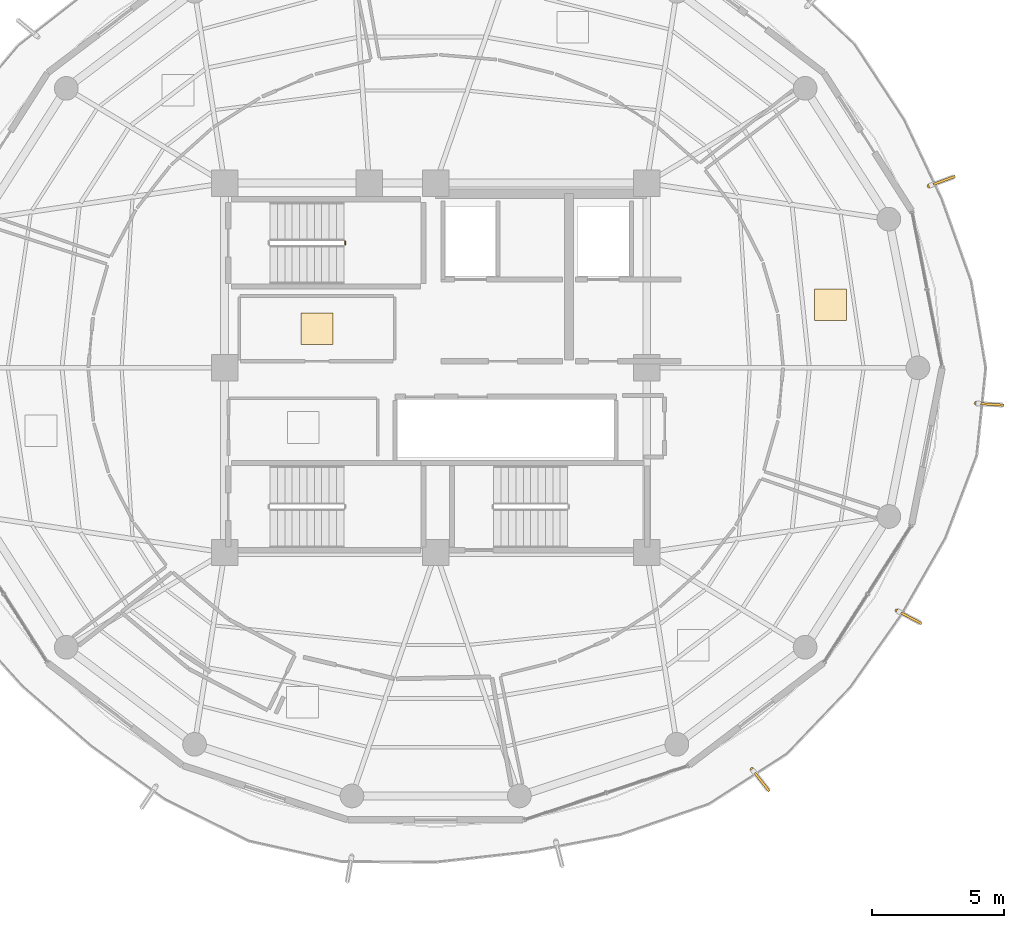
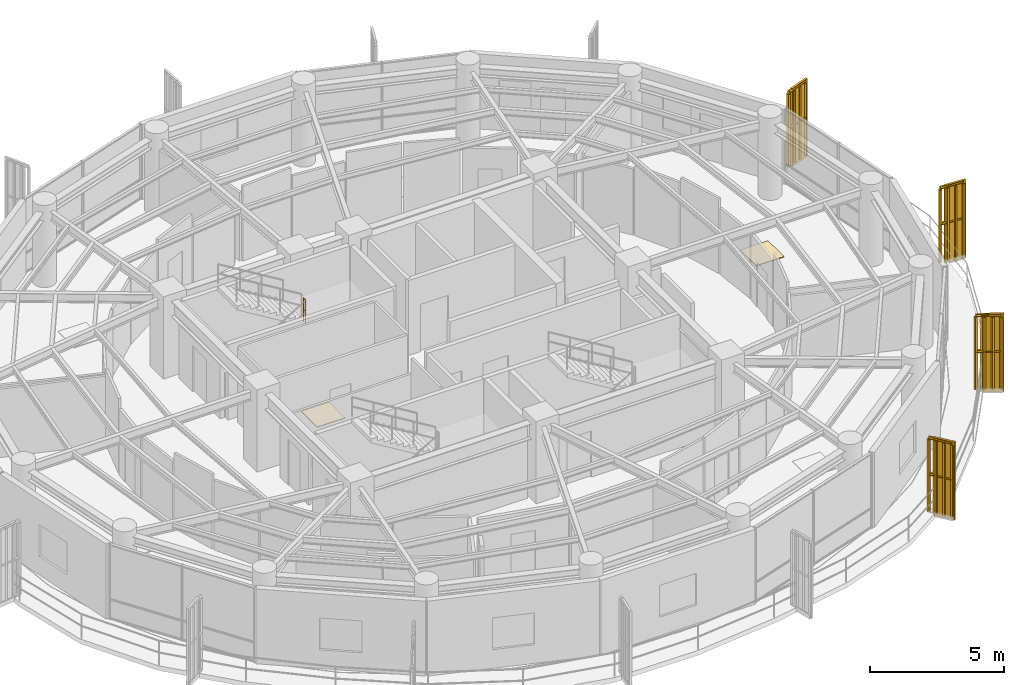
# One storey, part 22 of 23: 5 railings, 4 shading devices, 2 coverings.
"""IFC4 building model written with IfcOpenShell, lengths in metres."""

import ifcopenshell
import ifcopenshell.guid

model = None  # the IFC model being written
_history = None  # IfcOwnerHistory: only IFC2X3 demands one
_inside = {}  # id of a spatial element -> (the spatial element, [elements in it])
_under = {}  # id of a project, library or spatial element -> (it, [spatial elements below it])
_declared = {}  # id of a project -> (the project, [libraries it declares])
_typed = {}  # id of a type object -> (the type object, [elements of that type])
_made_of = {}  # id of a material, layer set ... -> (it, [elements and type objects made of it])


def new_model(schema):
    """Start an empty IFC model of exactly this schema.

    Asked for "IFC4X3", IfcOpenShell would pick the latest addendum, in which some entities
    have other attributes; the version numbers below select the first issue.
    IFC2X3 requires an IfcOwnerHistory on every rooted entity: one is made here for all.
    """
    global model, _history
    if schema == "IFC4X3":
        model = ifcopenshell.file(schema_version=(4, 3, 0, 0))
    else:
        model = ifcopenshell.file(schema=schema)
    _inside.clear()
    _under.clear()
    _declared.clear()
    _typed.clear()
    _made_of.clear()
    _history = None
    if model.schema == "IFC2X3":
        org = make("IfcOrganization", Name="unknown")
        user = make(
            "IfcPersonAndOrganization",
            ThePerson=make("IfcPerson", FamilyName="unknown"),
            TheOrganization=org,
        )
        app = make(
            "IfcApplication",
            ApplicationDeveloper=org,
            Version="unknown",
            ApplicationFullName="unknown",
            ApplicationIdentifier="unknown",
        )
        _history = make(
            "IfcOwnerHistory",
            OwningUser=user,
            OwningApplication=app,
            ChangeAction="ADDED",
            CreationDate=0,
        )
    return model


def make(cls, **values):
    """One entity of the class cls with the attributes given. An attribute that is None is left unset."""
    return model.create_entity(
        cls, **{name: value for name, value in values.items() if value is not None}
    )


def rooted(cls, **values):
    """An entity with a GlobalId (a new one), such as an element, a storey or a relation."""
    return make(cls, GlobalId=ifcopenshell.guid.new(), OwnerHistory=_history, **values)


def si_unit(unit_type, name, prefix=None):
    """IfcSIUnit, for example si_unit("LENGTHUNIT", "METRE", prefix="MILLI")."""
    return make("IfcSIUnit", UnitType=unit_type, Prefix=prefix, Name=name)


def assignment(units):
    """IfcUnitAssignment: the units of a project."""
    return None if units is None else make("IfcUnitAssignment", Units=units)


def point(xyz):
    """IfcCartesianPoint."""
    return None if xyz is None else make("IfcCartesianPoint", Coordinates=xyz)


def direction(xyz):
    """IfcDirection."""
    return None if xyz is None else make("IfcDirection", DirectionRatios=xyz)


def frame(location, z_axis=None, x_axis=None):
    """IfcAxis2Placement3D, a coordinate frame: its origin and axes. An axis left out is left unset."""
    return make(
        "IfcAxis2Placement3D",
        Location=point(location),
        Axis=direction(z_axis),
        RefDirection=direction(x_axis),
    )


def frame_2d(location, x_axis=None):
    """IfcAxis2Placement2D, a coordinate frame in the plane: its origin and x axis."""
    return make(
        "IfcAxis2Placement2D", Location=point(location), RefDirection=direction(x_axis)
    )


def origin():
    """The frame at (0, 0, 0) with its axes left unset."""
    return frame((0.0, 0.0, 0.0))


def origin_2d():
    """The frame at (0, 0) in the plane with its x axis left unset."""
    return frame_2d((0.0, 0.0))


def place(relative_to, where):
    """IfcLocalPlacement: puts the frame where relative to a parent placement (None: the world)."""
    return make(
        "IfcLocalPlacement", PlacementRelTo=relative_to, RelativePlacement=where
    )


def context(
    kind, dimensions, precision=None, world=None, true_north=None, identifier=None
):
    """IfcGeometricRepresentationContext, for example the 3D "Model" context."""
    return make(
        "IfcGeometricRepresentationContext",
        ContextIdentifier=identifier,
        ContextType=kind,
        CoordinateSpaceDimension=dimensions,
        Precision=precision,
        WorldCoordinateSystem=world,
        TrueNorth=true_north,
    )


def subcontext(parent, identifier, kind, view, scale=None):
    """IfcGeometricRepresentationSubContext, for example "Body" below "Model"."""
    return make(
        "IfcGeometricRepresentationSubContext",
        ContextIdentifier=identifier,
        ContextType=kind,
        ParentContext=parent,
        TargetScale=scale,
        TargetView=view,
    )


def project(units=None, contexts=None):
    """IfcProject with its units and contexts."""
    return rooted(
        "IfcProject",
        Name="project",
        RepresentationContexts=contexts,
        UnitsInContext=assignment(units),
    )


def spatial(cls, under=None, at=None, **own):
    """A site, building, storey or space (cls), placed at a placement, below another one or the project."""
    s = rooted(cls, ObjectPlacement=at, **own)
    if under is not None:
        _under.setdefault(under.id(), (under, []))[1].append(s)
    return s


def polyline(points):
    """IfcPolyline through the points."""
    return make("IfcPolyline", Points=[point(p) for p in points])


def profile(cls, at=None, kind="AREA", **sizes):
    """A parametric profile (cls). Its sizes go by their IFC names, for example OverallWidth=200.0."""
    return make(cls, ProfileType=kind, Position=at, **sizes)


def rectangle(**sizes):
    """IfcRectangleProfileDef."""
    return profile("IfcRectangleProfileDef", **sizes)


def outline(outer, holes=None, kind="AREA"):
    """IfcArbitraryClosedProfileDef: a profile drawn as a closed curve; with holes, ...WithVoids."""
    if holes is None:
        return make("IfcArbitraryClosedProfileDef", ProfileType=kind, OuterCurve=outer)
    return make(
        "IfcArbitraryProfileDefWithVoids",
        ProfileType=kind,
        OuterCurve=outer,
        InnerCurves=holes,
    )


def extrude(swept, where, along, depth):
    """IfcExtrudedAreaSolid: the profile swept, set in the frame where, extruded along a direction by depth."""
    return make(
        "IfcExtrudedAreaSolid",
        SweptArea=swept,
        Position=where,
        ExtrudedDirection=direction(along),
        Depth=depth,
    )


def shape(context_of_items, identifier, shape_type, items):
    """IfcShapeRepresentation: the items that make up one representation, for example the "Body"."""
    return make(
        "IfcShapeRepresentation",
        ContextOfItems=context_of_items,
        RepresentationIdentifier=identifier,
        RepresentationType=shape_type,
        Items=items,
    )


def source(mapping_origin, context_of_items, identifier, shape_type, items):
    """IfcRepresentationMap: a shape defined once, which mapped items show again and again."""
    return make(
        "IfcRepresentationMap",
        MappingOrigin=mapping_origin,
        MappedRepresentation=shape(context_of_items, identifier, shape_type, items),
    )


def transform(
    local_origin,
    x_axis=None,
    y_axis=None,
    z_axis=None,
    scale=None,
    scale2=None,
    scale3=None,
    uniform=True,
):
    """IfcCartesianTransformationOperator3D, or its non-uniform kind. x_axis, y_axis, z_axis: its Axis1, 2, 3."""
    if uniform:
        return make(
            "IfcCartesianTransformationOperator3D",
            Axis1=direction(x_axis),
            Axis2=direction(y_axis),
            LocalOrigin=point(local_origin),
            Scale=scale,
            Axis3=direction(z_axis),
        )
    return make(
        "IfcCartesianTransformationOperator3DnonUniform",
        Axis1=direction(x_axis),
        Axis2=direction(y_axis),
        LocalOrigin=point(local_origin),
        Scale=scale,
        Axis3=direction(z_axis),
        Scale2=scale2,
        Scale3=scale3,
    )


def mapped(mapping_source, mapping_target):
    """IfcMappedItem: shows the shape of a source again, moved by a transform."""
    return make(
        "IfcMappedItem", MappingSource=mapping_source, MappingTarget=mapping_target
    )


def material(Name=None, Category=None):
    """IfcMaterial."""
    return make("IfcMaterial", Name=Name, Category=Category)


def layer(
    of_material, thickness, ventilated=None, Name=None, Category=None, Priority=None
):
    """IfcMaterialLayer: one layer of a wall or slab, of a material (None: an air gap)."""
    return make(
        "IfcMaterialLayer",
        Material=of_material,
        LayerThickness=thickness,
        IsVentilated=ventilated,
        Name=Name,
        Category=Category,
        Priority=Priority,
    )


def layer_set(layers, Name=None):
    """IfcMaterialLayerSet."""
    return make("IfcMaterialLayerSet", MaterialLayers=layers, LayerSetName=Name)


def made_of(thing, what):
    """Note that an element or type object is made of a material, layer set ...; save() writes the relation."""
    if what is not None:
        _made_of.setdefault(what.id(), (what, []))[1].append(thing)
    return thing


def type_object(cls, material=None, **own):
    """A type object (cls), such as IfcWallType, which elements share."""
    return made_of(rooted(cls, **own), material)


def element(
    cls,
    number,
    at=None,
    inside=None,
    cuts=None,
    type_object=None,
    material=None,
    context=None,
    identifier="Body",
    shape_type=None,
    held_by="IfcProductDefinitionShape",
    body=None,
    shapes=None,
    **own,
):
    """One element of the class cls, such as IfcWall. Its Tag is "e" and its number.

    at: its placement. inside: the storey or other place that contains it. cuts: it is an
    opening in that element (IfcRelVoidsElement). A single representation is given by context,
    identifier, shape_type and body (its items); several are given by shapes. held_by: the class
    of the entity that holds the representations. save() writes the other relations.
    """
    e = rooted(cls, Tag="e%d" % number, ObjectPlacement=at, **own)
    if body is not None:
        shapes = [shape(context, identifier, shape_type, body)]
    if shapes is not None:
        e.Representation = make(held_by, Representations=shapes)
    if inside is not None:
        _inside.setdefault(inside.id(), (inside, []))[1].append(e)
    if cuts is not None:
        rooted(
            "IfcRelVoidsElement", RelatingBuildingElement=cuts, RelatedOpeningElement=e
        )
    if type_object is not None:
        _typed.setdefault(type_object.id(), (type_object, []))[1].append(e)
    return made_of(e, material)


def aggregate(whole, parts):
    """IfcRelAggregates: a whole, such as a stair, and the parts it consists of."""
    return rooted("IfcRelAggregates", RelatingObject=whole, RelatedObjects=parts)


def save(model, path):
    """Write the relations noted so far, then the file.

    IfcRelAggregates (storeys below a building ...), IfcRelContainedInSpatialStructure (elements
    in a storey), IfcRelDefinesByType, IfcRelAssociatesMaterial and IfcRelDeclares: one each for
    every whole, place, type object, material and project.
    """
    for whole, parts in _under.values():
        aggregate(whole, parts)
    for where, things in _inside.values():
        rooted(
            "IfcRelContainedInSpatialStructure",
            RelatedElements=things,
            RelatingStructure=where,
        )
    for kind, things in _typed.values():
        rooted("IfcRelDefinesByType", RelatedObjects=things, RelatingType=kind)
    for what, things in _made_of.values():
        rooted("IfcRelAssociatesMaterial", RelatedObjects=things, RelatingMaterial=what)
    for by, libraries in _declared.values():
        rooted("IfcRelDeclares", RelatingContext=by, RelatedDefinitions=libraries)
    model.write(path)


model = new_model("IFC4")

# Units and contexts
model_context = context("Model", 3, precision=1e-05, world=origin(), true_north=direction((0.0, 1.0)))
body_context = subcontext(model_context, "Body", "Model", "MODEL_VIEW")
ifc_project = project(units=[si_unit("LENGTHUNIT", "METRE"), si_unit("AREAUNIT", "SQUARE_METRE"), si_unit("VOLUMEUNIT", "CUBIC_METRE"), si_unit("PLANEANGLEUNIT", "RADIAN"), si_unit("MASSUNIT", "GRAM", prefix="KILO")], contexts=[model_context])

# Site, building, storey
site_placement = place(None, origin())
site = spatial("IfcSite", under=ifc_project, at=site_placement, CompositionType="ELEMENT")
building_placement = place(site_placement, origin())
building = spatial("IfcBuilding", under=site, at=building_placement, Name="Kelanora Arch Commons", CompositionType="ELEMENT")
storey_placement = place(building_placement, frame((0.0, 0.0, 289.949951171875)))
storey = spatial("IfcBuildingStorey", under=building, at=storey_placement, Name="L74", CompositionType="ELEMENT", Elevation=289.949951171875)

# Railings
ifc_material_1 = material(Name="Anodised bronze vertical shading fin rib assembly")
railing_type_1 = type_object("IfcRailingType", Name="RAIL-FIN-BRZ", PredefinedType="BALUSTRADE", material=ifc_material_1)
railing_1_placement = place(storey_placement, frame((94.48681640625, 56.65185546875, -0.02001953125)))
element("IfcRailing", 1, at=railing_1_placement, inside=storey, type_object=railing_type_1, Name="Sweeping Bronze Vertical Fin Blade L74-00", PredefinedType="BALUSTRADE", context=body_context, shape_type="SweptSolid", body=[
    extrude(outline(polyline([(0.06982421875, 0.0), (0.034912109375, 0.060546875), (-0.034912109375, 0.060546875), (-0.06982421875, 0.0), (-0.034912109375, -0.060546875), (0.034912109375, -0.060546875), (0.06982421875, 0.0)])), frame((0.0, 0.0, 3.35986328125), z_axis=(0.997837114306, -0.065735023485, 0.0), x_axis=(0.065735023485, 0.997837114306, 0.0)), (0.0, 0.0, 1.0), 0.95068359375),
    extrude(outline(polyline([(0.06982421875, 0.0), (0.034912109375, 0.060546875), (-0.034912109375, 0.060546875), (-0.06982421875, 0.0), (-0.034912109375, -0.060546875), (0.034912109375, -0.060546875), (0.06982421875, 0.0)])), frame((0.0, 0.0, 1.71484375), z_axis=(0.997837114306, -0.065735023485, 0.0), x_axis=(0.065735023485, 0.997837114306, 0.0)), (0.0, 0.0, 1.0), 0.95068359375),
    extrude(outline(polyline([(0.080078125, 0.0), (0.0400390625, 0.0693359375), (-0.0400390625, 0.0693359375), (-0.080078125, 0.0), (-0.0400390625, -0.0693359375), (0.0400390625, -0.0693359375), (0.080078125, 0.0)])), origin(), (0.0, 0.0, 1.0), 3.2900390625),
    extrude(outline(polyline([(0.080078125, 0.0), (0.0400390625, 0.0693359375), (-0.0400390625, 0.0693359375), (-0.080078125, 0.0), (-0.0400390625, -0.0693359375), (0.0400390625, -0.0693359375), (0.080078125, 0.0)])), frame((0.316162109375, -0.020751953125, 0.0)), (0.0, 0.0, 1.0), 3.2900390625),
    extrude(outline(polyline([(0.080078125, 0.0), (0.0400390625, 0.0693359375), (-0.0400390625, 0.0693359375), (-0.080078125, 0.0), (-0.0400390625, -0.0693359375), (0.0400390625, -0.0693359375), (0.080078125, 0.0)])), frame((0.632568359375, -0.041748046875, 0.0)), (0.0, 0.0, 1.0), 3.2900390625),
    extrude(outline(polyline([(0.080078125, 0.0), (0.0400390625, 0.0693359375), (-0.0400390625, 0.0693359375), (-0.080078125, 0.0), (-0.0400390625, -0.0693359375), (0.0400390625, -0.0693359375), (0.080078125, 0.0)])), frame((0.94873046875, -0.0625, 0.0)), (0.0, 0.0, 1.0), 3.2900390625),
])
railing_2_placement = place(storey_placement, frame((92.702880859375, 64.894287109375, -0.02001953125)))
element("IfcRailing", 2, at=railing_2_placement, inside=storey, type_object=railing_type_1, Name="Sweeping Bronze Vertical Fin Blade L74-01", PredefinedType="BALUSTRADE", context=body_context, shape_type="SweptSolid", body=[
    extrude(outline(polyline([(0.06982421875, 0.0), (0.034912109375, 0.060546875), (-0.034912109375, 0.060546875), (-0.06982421875, 0.0), (-0.034912109375, -0.060546875), (0.034912109375, -0.060546875), (0.06982421875, 0.0)])), frame((0.0, 0.0, 3.35986328125), z_axis=(0.938277338883, 0.3458838466, 0.0), x_axis=(-0.3458838466, 0.938277338883, 0.0)), (0.0, 0.0, 1.0), 0.95068359375),
    extrude(outline(polyline([(0.06982421875, 0.0), (0.034912109375, 0.060546875), (-0.034912109375, 0.060546875), (-0.06982421875, 0.0), (-0.034912109375, -0.060546875), (0.034912109375, -0.060546875), (0.06982421875, 0.0)])), frame((0.0, 0.0, 1.71484375), z_axis=(0.938277338883, 0.3458838466, 0.0), x_axis=(-0.3458838466, 0.938277338883, 0.0)), (0.0, 0.0, 1.0), 0.95068359375),
    extrude(outline(polyline([(0.080078125, 0.0), (0.0400390625, 0.0693359375), (-0.0400390625, 0.0693359375), (-0.080078125, 0.0), (-0.0400390625, -0.0693359375), (0.0400390625, -0.0693359375), (0.080078125, 0.0)])), origin(), (0.0, 0.0, 1.0), 3.2900390625),
    extrude(outline(polyline([(0.080078125, 0.0), (0.0400390625, 0.0693359375), (-0.0400390625, 0.0693359375), (-0.080078125, 0.0), (-0.0400390625, -0.0693359375), (0.0400390625, -0.0693359375), (0.080078125, 0.0)])), frame((0.29736328125, 0.109619140625, 0.0)), (0.0, 0.0, 1.0), 3.2900390625),
    extrude(outline(polyline([(0.080078125, 0.0), (0.0400390625, 0.0693359375), (-0.0400390625, 0.0693359375), (-0.080078125, 0.0), (-0.0400390625, -0.0693359375), (0.0400390625, -0.0693359375), (0.080078125, 0.0)])), frame((0.5947265625, 0.21923828125, 0.0)), (0.0, 0.0, 1.0), 3.2900390625),
    extrude(outline(polyline([(0.080078125, 0.0), (0.0400390625, 0.0693359375), (-0.0400390625, 0.0693359375), (-0.080078125, 0.0), (-0.0400390625, -0.0693359375), (0.0400390625, -0.0693359375), (0.080078125, 0.0)])), frame((0.89208984375, 0.328857421875, 0.0)), (0.0, 0.0, 1.0), 3.2900390625),
])
railing_3_placement = place(storey_placement, frame((85.991943359375, 42.780029296875, -0.02001953125)))
element("IfcRailing", 3, at=railing_3_placement, inside=storey, type_object=railing_type_1, Name="Sweeping Bronze Vertical Fin Blade L74-13", PredefinedType="BALUSTRADE", context=body_context, shape_type="SweptSolid", body=[
    extrude(outline(polyline([(0.06982421875, 0.0), (0.034912109375, 0.060546875), (-0.034912109375, 0.060546875), (-0.06982421875, 0.0), (-0.034912109375, -0.060546875), (0.034912109375, -0.060546875), (0.06982421875, 0.0)])), frame((0.0, 0.0, 3.35986328125), z_axis=(0.618853022065, -0.785506802696, 0.0), x_axis=(0.785506802696, 0.618853022065, 0.0)), (0.0, 0.0, 1.0), 0.95068359375),
    extrude(outline(polyline([(0.06982421875, 0.0), (0.034912109375, 0.060546875), (-0.034912109375, 0.060546875), (-0.06982421875, 0.0), (-0.034912109375, -0.060546875), (0.034912109375, -0.060546875), (0.06982421875, 0.0)])), frame((0.0, 0.0, 1.71484375), z_axis=(0.618853022065, -0.785506802696, 0.0), x_axis=(0.785506802696, 0.618853022065, 0.0)), (0.0, 0.0, 1.0), 0.95068359375),
    extrude(outline(polyline([(0.080078125, 0.0), (0.0400390625, 0.0693359375), (-0.0400390625, 0.0693359375), (-0.080078125, 0.0), (-0.0400390625, -0.0693359375), (0.0400390625, -0.0693359375), (0.080078125, 0.0)])), origin(), (0.0, 0.0, 1.0), 3.2900390625),
    extrude(outline(polyline([(0.080078125, 0.0), (0.0400390625, 0.0693359375), (-0.0400390625, 0.0693359375), (-0.080078125, 0.0), (-0.0400390625, -0.0693359375), (0.0400390625, -0.0693359375), (0.080078125, 0.0)])), frame((0.196044921875, -0.2490234375, 0.0)), (0.0, 0.0, 1.0), 3.2900390625),
    extrude(outline(polyline([(0.080078125, 0.0), (0.0400390625, 0.0693359375), (-0.0400390625, 0.0693359375), (-0.080078125, 0.0), (-0.0400390625, -0.0693359375), (0.0400390625, -0.0693359375), (0.080078125, 0.0)])), frame((0.392333984375, -0.497802734375, 0.0)), (0.0, 0.0, 1.0), 3.2900390625),
    extrude(outline(polyline([(0.080078125, 0.0), (0.0400390625, 0.0693359375), (-0.0400390625, 0.0693359375), (-0.080078125, 0.0), (-0.0400390625, -0.0693359375), (0.0400390625, -0.0693359375), (0.080078125, 0.0)])), frame((0.58837890625, -0.746826171875, 0.0)), (0.0, 0.0, 1.0), 3.2900390625),
])
railing_4_placement = place(storey_placement, frame((91.48681640625, 48.7939453125, -0.02001953125)))
element("IfcRailing", 4, at=railing_4_placement, inside=storey, type_object=railing_type_1, Name="Sweeping Bronze Vertical Fin Blade L74-14", PredefinedType="BALUSTRADE", context=body_context, shape_type="SweptSolid", body=[
    extrude(outline(polyline([(0.06982421875, 0.0), (0.034912109375, 0.060546875), (-0.034912109375, 0.060546875), (-0.06982421875, 0.0), (-0.034912109375, -0.060546875), (0.034912109375, -0.060546875), (0.06982421875, 0.0)])), frame((0.0, 0.0, 3.35986328125), z_axis=(0.884778944576, -0.466010964715, 0.0), x_axis=(0.466010964715, 0.884778944576, 0.0)), (0.0, 0.0, 1.0), 0.950927734375),
    extrude(outline(polyline([(0.06982421875, 0.0), (0.034912109375, 0.060546875), (-0.034912109375, 0.060546875), (-0.06982421875, 0.0), (-0.034912109375, -0.060546875), (0.034912109375, -0.060546875), (0.06982421875, 0.0)])), frame((0.0, 0.0, 1.71484375), z_axis=(0.884778944576, -0.466010964715, 0.0), x_axis=(0.466010964715, 0.884778944576, 0.0)), (0.0, 0.0, 1.0), 0.950927734375),
    extrude(outline(polyline([(0.080078125, 0.0), (0.0400390625, 0.0693359375), (-0.0400390625, 0.0693359375), (-0.080078125, 0.0), (-0.0400390625, -0.0693359375), (0.0400390625, -0.0693359375), (0.080078125, 0.0)])), origin(), (0.0, 0.0, 1.0), 3.2900390625),
    extrude(outline(polyline([(0.080078125, 0.0), (0.0400390625, 0.0693359375), (-0.0400390625, 0.0693359375), (-0.080078125, 0.0), (-0.0400390625, -0.0693359375), (0.0400390625, -0.0693359375), (0.080078125, 0.0)])), frame((0.280517578125, -0.147705078125, 0.0)), (0.0, 0.0, 1.0), 3.2900390625),
    extrude(outline(polyline([(0.080078125, 0.0), (0.0400390625, 0.0693359375), (-0.0400390625, 0.0693359375), (-0.080078125, 0.0), (-0.0400390625, -0.0693359375), (0.0400390625, -0.0693359375), (0.080078125, 0.0)])), frame((0.560791015625, -0.29541015625, 0.0)), (0.0, 0.0, 1.0), 3.2900390625),
    extrude(outline(polyline([(0.080078125, 0.0), (0.0400390625, 0.0693359375), (-0.0400390625, 0.0693359375), (-0.080078125, 0.0), (-0.0400390625, -0.0693359375), (0.0400390625, -0.0693359375), (0.080078125, 0.0)])), frame((0.84130859375, -0.443115234375, 0.0)), (0.0, 0.0, 1.0), 3.2900390625),
])
ifc_material_2 = material(Name="Painted steel stair well guard", Category="steel")
railing_type_2 = type_object("IfcRailingType", Name="RAIL-STAIR-GRD", PredefinedType="GUARDRAIL", material=ifc_material_2)
railing_5_placement = place(storey_placement, frame((70.570068359375, 62.659912109375, 1.875)))
element("IfcRailing", 5, at=railing_5_placement, inside=storey, type_object=railing_type_2, Name="L74 ST-T1 stair guard 2", PredefinedType="GUARDRAIL", context=body_context, shape_type="SweptSolid", body=[
    extrude(outline(polyline([(0.02392578125, 0.0), (0.011962890625, 0.020751953125), (-0.011962890625, 0.020751953125), (-0.02392578125, 0.0), (-0.011962890625, -0.020751953125), (0.011962890625, -0.020751953125), (0.02392578125, 0.0)])), frame((0.0, 0.0, 1.076171875), z_axis=(0.0, 1.0, 0.0), x_axis=(-1.0, 0.0, 0.0)), (0.0, 0.0, 1.0), 0.150146484375),
    extrude(outline(polyline([(0.02392578125, 0.0), (0.011962890625, 0.020751953125), (-0.011962890625, 0.020751953125), (-0.02392578125, 0.0), (-0.011962890625, -0.020751953125), (0.011962890625, -0.020751953125), (0.02392578125, 0.0)])), frame((0.0, 0.0, 0.550048828125), z_axis=(0.0, 1.0, 0.0), x_axis=(-1.0, 0.0, 0.0)), (0.0, 0.0, 1.0), 0.150146484375),
    extrude(outline(polyline([(0.02099609375, 0.0), (0.010498046875, 0.01806640625), (-0.010498046875, 0.01806640625), (-0.02099609375, 0.0), (-0.010498046875, -0.01806640625), (0.010498046875, -0.01806640625), (0.02099609375, 0.0)])), origin(), (0.0, 0.0, 1.0), 1.052001953125),
    extrude(outline(polyline([(0.02099609375, 0.0), (0.010498046875, 0.01806640625), (-0.010498046875, 0.01806640625), (-0.02099609375, 0.0), (-0.010498046875, -0.01806640625), (0.010498046875, -0.01806640625), (0.02099609375, 0.0)])), frame((0.0, 0.150146484375, 0.0)), (0.0, 0.0, 1.0), 1.052001953125),
])

# Shading devices
ifc_material_3 = material(Name="Terracotta ceramic-clad extruded aluminium fin", Category="masonry")
shading_device_type = type_object("IfcShadingDeviceType", Name="SHD-FIN-FLARE", PredefinedType="USERDEFINED", material=ifc_material_3)
shared_shape_1 = source(origin(), body_context, "Body", "SweptSolid", [
    extrude(rectangle(XDim=0.8798828125, YDim=0.090087890625, at=origin_2d()), origin(), (0.0, 0.0, 1.0), 3.550048828125),
])
for number, where, z_axis, x_axis, name in (
    (6, (95.100830078125, 56.611328125, -0.14013671875), (0.0, 0.0, 1.0), (0.997836032447, -0.065751443712, 0.0), "Sweeping Terracotta Fin L74-00"),
    (7, (93.2802734375, 65.107177734375, -0.14013671875), (0.0, 0.0, 1.0), (0.938312096407, 0.345789545441, 0.0), "Sweeping Terracotta Fin L74-01"),
    (8, (86.372802734375, 42.296630859375, -0.14013671875), (0.0, 0.0, 1.0), (0.61895687622, -0.785424971197, 0.0), "Sweeping Terracotta Fin L74-13"),
    (9, (92.031494140625, 48.507080078125, -0.14013671875), (0.0, 0.0, 1.0), (0.88490635892, -0.465768972714, 0.0), "Sweeping Terracotta Fin L74-14"),
):
    element("IfcShadingDevice", number, at=place(storey_placement, frame(where, z_axis=z_axis, x_axis=x_axis)), inside=storey, type_object=shading_device_type, Name=name, ObjectType="FIN", PredefinedType="USERDEFINED", context=body_context, shape_type="MappedRepresentation", body=[
        mapped(shared_shape_1, transform((0.0, 0.0, 0.0), scale=1.0)),
    ])

# Coverings
ifc_material_4 = material(Name="Polished local granite terrazzo flooring", Category="masonry")
ifc_layer = layer(ifc_material_4, 0.030029296875)
ifc_layer_set = layer_set([ifc_layer], Name="Polished local granite terrazzo flooring")
covering_type = type_object("IfcCoveringType", Name="COV-FLR-TER", PredefinedType="FLOORING", material=ifc_layer_set)
shared_shape_2 = source(origin(), body_context, "Body", "SweptSolid", [
    extrude(rectangle(XDim=1.199951171875, YDim=1.199951171875, at=origin_2d()), origin(), (0.0, 0.0, 1.0), 0.030029296875),
])
for number, where, z_axis, x_axis, name in (
    (10, (69.5, 59.485107421875, 0.0), (0.0, 0.0, 1.0), (1.0, 0.0, 0.0), "Reclaimed Core Study Pod Lounge L74 Terrazzo Finish"),
    (11, (88.96337890625, 60.384521484375, 0.0), (0.0, 0.0, 1.0), (1.0, 0.0, 0.0), "Communal Dining and Social Hall L74-05 Terrazzo Finish"),
):
    element("IfcCovering", number, at=place(storey_placement, frame(where, z_axis=z_axis, x_axis=x_axis)), inside=storey, type_object=covering_type, Name=name, PredefinedType="FLOORING", context=body_context, shape_type="MappedRepresentation", body=[
        mapped(shared_shape_2, transform((0.0, 0.0, 0.0), scale=1.0)),
    ])

save(model, "model.ifc")
